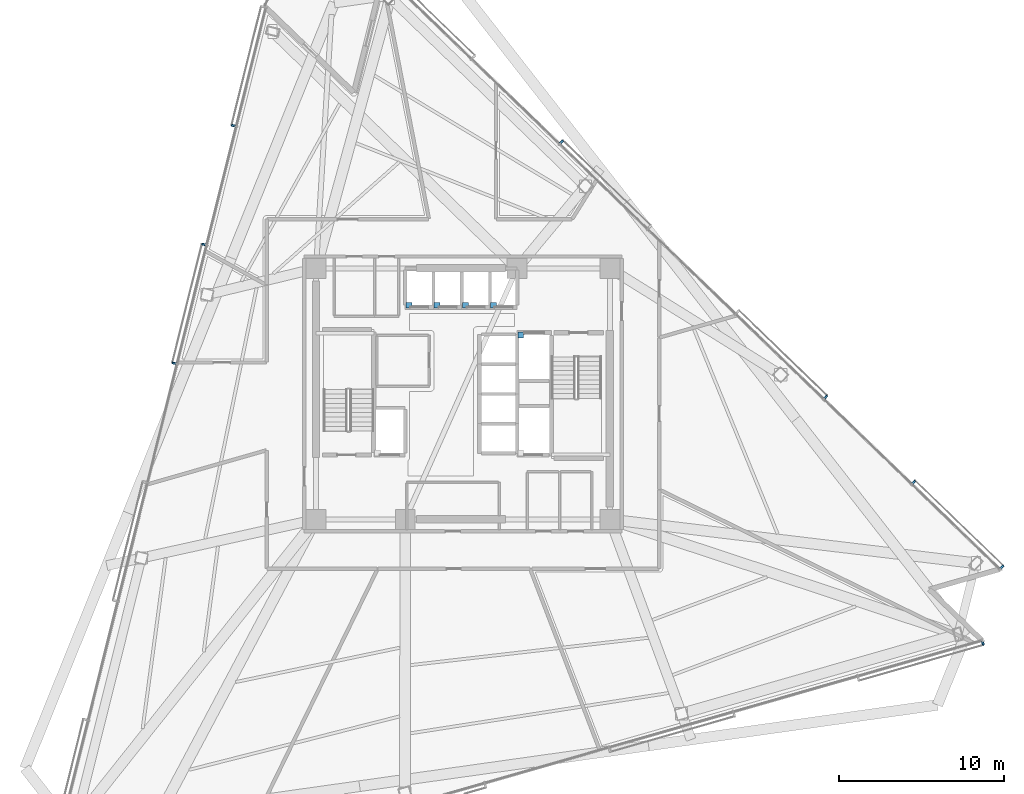
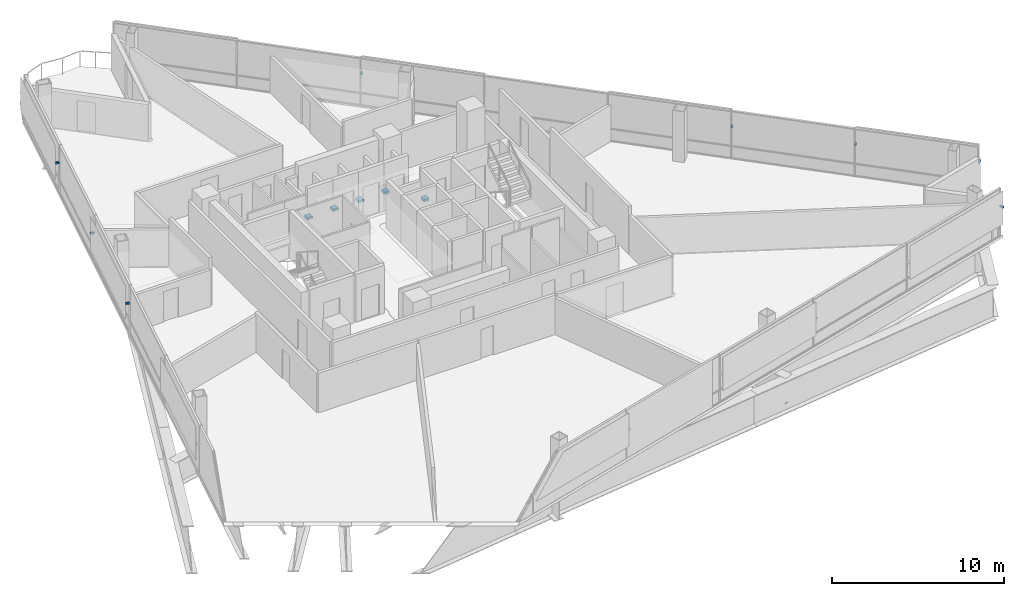
# One storey, part 15 of 21: 13 discrete accessories.
"""IFC4 building model written with IfcOpenShell, lengths in metres."""

from ifc_helpers import new_model, si_unit, direction, frame, origin, origin_2d, place, context, subcontext, project, spatial, rectangle, extrude, material, type_object, element, save


model = new_model("IFC4")

# Units and contexts
model_context = context("Model", 3, precision=1e-05, world=origin(), true_north=direction((0.0, 1.0)))
body_context = subcontext(model_context, "Body", "Model", "MODEL_VIEW")
ifc_project = project(units=[si_unit("LENGTHUNIT", "METRE"), si_unit("AREAUNIT", "SQUARE_METRE"), si_unit("VOLUMEUNIT", "CUBIC_METRE"), si_unit("PLANEANGLEUNIT", "RADIAN"), si_unit("MASSUNIT", "GRAM", prefix="KILO")], contexts=[model_context])

# Site, building, storey
site_placement = place(None, origin())
site = spatial("IfcSite", under=ifc_project, at=site_placement, CompositionType="ELEMENT")
building_placement = place(site_placement, origin())
building = spatial("IfcBuilding", under=site, at=building_placement, Name="Tharavind Bronze Gate", CompositionType="ELEMENT")
storey_placement = place(building_placement, frame((0.0, 0.0, 86.10009765625)))
storey = spatial("IfcBuildingStorey", under=building, at=storey_placement, Name="L21", CompositionType="ELEMENT", Elevation=86.10009765625)

# Discrete accessories
ifc_material_1 = material(Name="Galvanised Steel S355", Category="steel")
discrete_accessory_type_1 = type_object("IfcDiscreteAccessoryType", Name="LIFT GUIDE RAIL BRACKET", PredefinedType="BRACKET", material=ifc_material_1)
for number, where, z_axis, x_axis, name in (
    (1, (-3.280029296875, 5.3701171875, 1.1201171875), (0.0, 0.0, 1.0), (1.0, 0.0, 0.0), "Lift PL5 guide rail bracket at L21"),
    (2, (-1.5673828125, 5.3701171875, 1.1201171875), (0.0, 0.0, 1.0), (1.0, 0.0, 0.0), "Lift PL6 guide rail bracket at L21"),
    (3, (0.14501953125, 5.3701171875, 1.1201171875), (0.0, 0.0, 1.0), (1.0, 0.0, 0.0), "Lift PL7 guide rail bracket at L21"),
    (4, (1.857421875, 5.3701171875, 1.1201171875), (0.0, 0.0, 1.0), (1.0, 0.0, 0.0), "Lift PL8 guide rail bracket at L21"),
    (5, (3.5, 3.580078125, 1.1201171875), (0.0, 0.0, 1.0), (1.0, 0.0, 0.0), "Lift FFL2 guide rail bracket at L21"),
):
    element("IfcDiscreteAccessory", number, at=place(storey_placement, frame(where, z_axis=z_axis, x_axis=x_axis)), inside=storey, type_object=discrete_accessory_type_1, Name=name, PredefinedType="BRACKET", context=body_context, shape_type="SweptSolid", body=[
        extrude(rectangle(XDim=0.360107421875, YDim=0.360107421875, at=origin_2d()), origin(), (0.0, 0.0, 1.0), 0.159912109375),
    ])
ifc_material_2 = material(Name="Stainless Steel 316", Category="steel")
discrete_accessory_type_2 = type_object("IfcDiscreteAccessoryType", Name="SOLAR SCREEN STANDOFF BRACKET", PredefinedType="BRACKET", material=ifc_material_2)
for number, where, z_axis, x_axis, name in (
    (6, (-13.902099609375, 16.243896484375, 2.0947265625), (0.0, 0.0, 1.0), (-0.2419218956, -0.970295726276, 0.0), "CW-L21-S1 solar screen bracket 1.2"),
    (7, (-15.69580078125, 9.0498046875, 2.0947265625), (0.0, 0.0, 1.0), (-0.2419218956, -0.970295726276, 0.0), "CW-L21-S1 solar screen bracket 3.1"),
    (8, (-17.4892578125, 1.855712890625, 2.0947265625), (0.0, 0.0, 1.0), (-0.2419218956, -0.970295726276, 0.0), "CW-L21-S1 solar screen bracket 3.2"),
    (9, (31.48828125, -15.099609375, 2.0947265625), (0.0, 0.0, 1.0), (0.961261695938, 0.275637355817, 0.0), "CW-L21-S2 solar screen bracket 7.2"),
    (10, (32.637939453125, -10.489013671875, 2.0947265625), (0.0, 0.0, 1.0), (-0.719341012745, 0.694657114973, 0.0), "CW-L21-S3 solar screen bracket 1.1"),
    (11, (27.3046875, -5.338623046875, 2.0947265625), (0.0, 0.0, 1.0), (-0.719341012745, 0.694657114973, 0.0), "CW-L21-S3 solar screen bracket 1.2"),
    (12, (21.971435546875, -0.188232421875, 2.0947265625), (0.0, 0.0, 1.0), (-0.719341012745, 0.694657114973, 0.0), "CW-L21-S3 solar screen bracket 3.1"),
    (13, (5.97119140625, 15.2626953125, 2.0947265625), (0.0, 0.0, 1.0), (-0.719341012745, 0.694657114973, 0.0), "CW-L21-S3 solar screen bracket 5.2"),
):
    element("IfcDiscreteAccessory", number, at=place(storey_placement, frame(where, z_axis=z_axis, x_axis=x_axis)), inside=storey, type_object=discrete_accessory_type_2, Name=name, PredefinedType="BRACKET", context=body_context, shape_type="SweptSolid", body=[
        extrude(rectangle(XDim=0.1201171875, YDim=0.239990234375, at=origin_2d()), origin(), (0.0, 0.0, 1.0), 0.1201171875),
    ])

save(model, "model.ifc")
